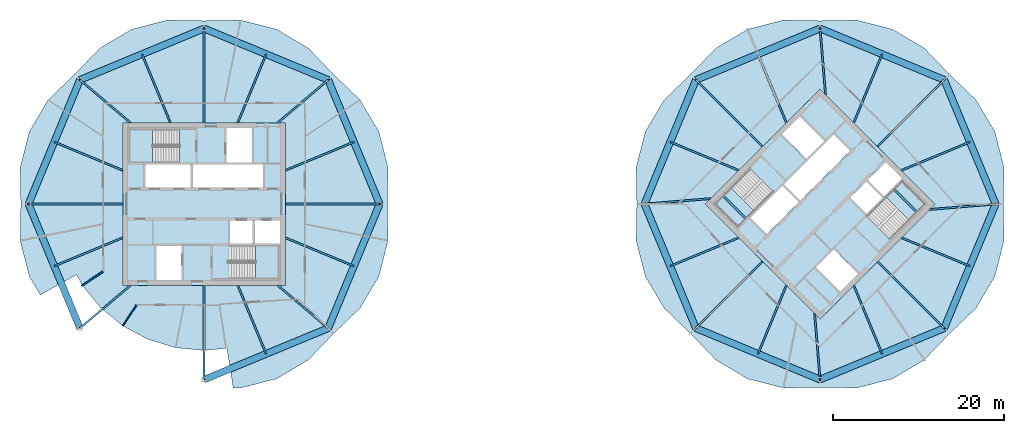
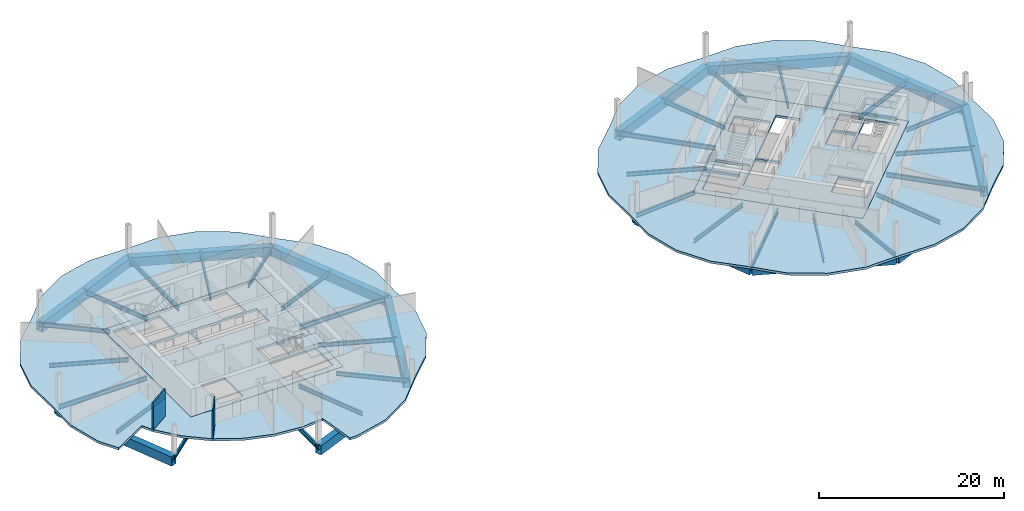
# One storey, part 3 of 9: 48 beams, 8 slabs, 2 walls, 4 elements without a shape of their own.
"""IFC4 building model written with IfcOpenShell, lengths in metres."""

from ifc_helpers import new_model, si_unit, direction, frame, frame_2d, origin, origin_2d, place, context, subcontext, project, spatial, polyline, rectangle, hollow_rectangle, i_section, outline, extrude, material, layer, layer_set, material_profile, profile_set, type_object, element, aggregate, save


model = new_model("IFC4")

# Units and contexts
model_context = context("Model", 3, precision=1e-05, world=origin(), true_north=direction((0.0, 1.0)))
body_context = subcontext(model_context, "Body", "Model", "MODEL_VIEW")
ifc_project = project(units=[si_unit("LENGTHUNIT", "METRE"), si_unit("AREAUNIT", "SQUARE_METRE"), si_unit("VOLUMEUNIT", "CUBIC_METRE"), si_unit("PLANEANGLEUNIT", "RADIAN"), si_unit("MASSUNIT", "GRAM", prefix="KILO")], contexts=[model_context])

# Site, building, storey
site_placement = place(None, origin())
site = spatial("IfcSite", under=ifc_project, at=site_placement, CompositionType="ELEMENT")
building_placement = place(site_placement, origin())
building = spatial("IfcBuilding", under=site, at=building_placement, Name="Ogive Gate Towers", CompositionType="ELEMENT")
storey_placement = place(building_placement, frame((0.0, 0.0, 192.89990234375)))
storey = spatial("IfcBuildingStorey", under=building, at=storey_placement, Name="L46", CompositionType="ELEMENT", Elevation=192.89990234375)

# Beams
ifc_material_1 = material(Name="Steel SM460", Category="steel")
ifc_material_profile_1 = material_profile(ifc_material_1, hollow_rectangle(XDim=0.800048828125, YDim=1.199951171875, WallThickness=0.050048828125, at=origin_2d()), Name="BX 1200x800x50")
ifc_profile_set_1 = profile_set([ifc_material_profile_1], Name="Steel SM460")
beam_type_1 = type_object("IfcBeamType", Name="Edge girder BX 1200x800x50", PredefinedType="BEAM", material=ifc_profile_set_1)
for number, where, z_axis, x_axis, name in (
    (1, (-36.0, -20.52001953125, -0.89990234375), (0.923877006731, 0.38268953008, 0.0), (-0.38268953008, 0.923877006731, 0.0), "T1/L46/SBM016"),
    (2, (-21.490234375, -14.509765625, -0.89990234375), (0.38268953008, 0.923877006731, 0.0), (-0.923877006731, 0.38268953008, 0.0), "T1/L46/SBM017"),
    (3, (-15.47998046875, 0.0, -0.89990234375), (-0.38268953008, 0.923877006731, 0.0), (-0.923877006731, -0.38268953008, 0.0), "T1/L46/SBM018"),
    (4, (-21.490234375, 14.509765625, -0.89990234375), (-0.923877006731, 0.38268953008, 0.0), (-0.38268953008, -0.923877006731, 0.0), "T1/L46/SBM019"),
    (5, (-36.0, 20.52001953125, -0.89990234375), (-0.923877006731, -0.38268953008, 0.0), (0.38268953008, -0.923877006731, 0.0), "T1/L46/SBM020"),
    (6, (-50.509765625, 14.509765625, -0.89990234375), (-0.38268953008, -0.923877006731, 0.0), (0.923877006731, -0.38268953008, 0.0), "T1/L46/SBM021"),
    (7, (-56.52001953125, 0.0, -0.89990234375), (0.38268953008, -0.923877006731, 0.0), (0.923877006731, 0.38268953008, 0.0), "T1/L46/SBM022"),
    (8, (21.490234375, -14.509765625, -0.89990234375), (0.923877006731, -0.38268953008, 0.0), (0.38268953008, 0.923877006731, 0.0), "T2/L46/SBM017"),
    (9, (36.0, -20.52001953125, -0.89990234375), (0.923877006731, 0.38268953008, 0.0), (-0.38268953008, 0.923877006731, 0.0), "T2/L46/SBM018"),
    (10, (50.509765625, -14.509765625, -0.89990234375), (0.38268953008, 0.923877006731, 0.0), (-0.923877006731, 0.38268953008, 0.0), "T2/L46/SBM019"),
    (11, (56.52001953125, 0.0, -0.89990234375), (-0.38268953008, 0.923877006731, 0.0), (-0.923877006731, -0.38268953008, 0.0), "T2/L46/SBM020"),
    (12, (50.509765625, 14.509765625, -0.89990234375), (-0.923877006731, 0.38268953008, 0.0), (-0.38268953008, -0.923877006731, 0.0), "T2/L46/SBM021"),
    (13, (36.0, 20.52001953125, -0.89990234375), (-0.923877006731, -0.38268953008, 0.0), (0.38268953008, -0.923877006731, 0.0), "T2/L46/SBM022"),
    (14, (21.490234375, 14.509765625, -0.89990234375), (-0.38268953008, -0.923877006731, 0.0), (0.923877006731, -0.38268953008, 0.0), "T2/L46/SBM023"),
    (15, (15.47998046875, 0.0, -0.89990234375), (0.38268953008, -0.923877006731, 0.0), (0.923877006731, 0.38268953008, 0.0), "T2/L46/SBM024"),
):
    element("IfcBeam", number, at=place(storey_placement, frame(where, z_axis=z_axis, x_axis=x_axis)), inside=storey, type_object=beam_type_1, Name=name, PredefinedType="BEAM", context=body_context, shape_type="SweptSolid", body=[
        extrude(hollow_rectangle(XDim=0.800048828125, YDim=1.199951171875, WallThickness=0.050048828125, at=origin_2d()), origin(), (0.0, 0.0, 1.0), 15.705322265625),
    ])
ifc_material_2 = material(Name="Concrete C40/50", Category="concrete")
ifc_material_profile_2 = material_profile(ifc_material_2, rectangle(XDim=0.25, YDim=0.300048828125, at=origin_2d()), Name="RC 250x300")
ifc_profile_set_2 = profile_set([ifc_material_profile_2], Name="Concrete C40/50")
beam_type_2 = type_object("IfcBeamType", Name="Landing bearer RC 250x300", PredefinedType="BEAM", material=ifc_profile_set_2)
for number, where, z_axis, x_axis, name in (
    (16, (24.650390625, 0.9541015625, 1.60009765625), (0.707106781187, -0.707106781187, 0.0), (0.707106781187, 0.707106781187, 0.0), "T2 L46 stair 1 landing bearer 1"),
    (17, (47.349609375, -0.9541015625, 1.60009765625), (-0.707106781187, 0.707106781187, 0.0), (-0.707106781187, -0.707106781187, 0.0), "T2 L46 stair 2 landing bearer 1"),
):
    element("IfcBeam", number, at=place(storey_placement, frame(where, z_axis=z_axis, x_axis=x_axis)), inside=storey, type_object=beam_type_2, Name=name, PredefinedType="BEAM", context=body_context, shape_type="SweptSolid", body=[
        extrude(rectangle(XDim=0.25, YDim=0.300048828125, at=origin_2d()), origin(), (0.0, 0.0, 1.0), 3.824951171875),
    ])
ifc_material_3 = material(Name="Steel SM355", Category="steel")
ifc_material_profile_3 = material_profile(ifc_material_3, i_section(OverallWidth=0.2099609375, OverallDepth=0.550048828125, WebThickness=0.010986328125, FlangeThickness=0.01708984375, FilletRadius=0.02392578125, at=origin_2d()), Name="IPE 550")
ifc_profile_set_3 = profile_set([ifc_material_profile_3], Name="Steel SM355")
beam_type_3 = type_object("IfcBeamType", Name="Radial floor beam IPE 550", PredefinedType="BEAM", material=ifc_profile_set_3)
beam_1_placement = place(storey_placement, frame((-44.60009765625, -9.5, -0.574951171875), z_axis=(-0.762795484328, -0.64663981403, 0.0), x_axis=(0.64663981403, -0.762795484328, 0.0)))
element("IfcBeam", 18, at=beam_1_placement, inside=storey, type_object=beam_type_3, Name="T1/L46/SBM001", PredefinedType="BEAM", context=body_context, shape_type="SweptSolid", body=[
    extrude(i_section(OverallWidth=0.2099609375, OverallDepth=0.550048828125, WebThickness=0.010986328125, FlangeThickness=0.01708984375, FilletRadius=0.02392578125, at=origin_2d()), origin(), (0.0, 0.0, 1.0), 7.747314453125),
])
beam_2_placement = place(storey_placement, frame((-32.06494140625, -9.5, -0.574951171875), z_axis=(0.382678218882, -0.92388169199, 0.0), x_axis=(0.92388169199, 0.382678218882, 0.0)))
element("IfcBeam", 19, at=beam_2_placement, inside=storey, type_object=beam_type_3, Name="T1/L46/SBM003", PredefinedType="BEAM", context=body_context, shape_type="SweptSolid", body=[
    extrude(i_section(OverallWidth=0.2099609375, OverallDepth=0.550048828125, WebThickness=0.010986328125, FlangeThickness=0.01708984375, FilletRadius=0.02392578125, at=origin_2d()), origin(), (0.0, 0.0, 1.0), 8.67529296875),
])
beam_3_placement = place(storey_placement, frame((-27.39990234375, -9.5, -0.574951171875), z_axis=(0.762795484328, -0.64663981403, 0.0), x_axis=(0.64663981403, 0.762795484328, 0.0)))
element("IfcBeam", 20, at=beam_3_placement, inside=storey, type_object=beam_type_3, Name="T1/L46/SBM004", PredefinedType="BEAM", context=body_context, shape_type="SweptSolid", body=[
    extrude(i_section(OverallWidth=0.2099609375, OverallDepth=0.550048828125, WebThickness=0.010986328125, FlangeThickness=0.01708984375, FilletRadius=0.02392578125, at=origin_2d()), origin(), (0.0, 0.0, 1.0), 7.747314453125),
])
for number, where, z_axis, x_axis, name in (
    (21, (-26.5, -3.93505859375, -0.574951171875), (0.92388169199, -0.382678218882, 0.0), (0.382678218882, 0.92388169199, 0.0), "T1/L46/SBM005"),
    (22, (-26.5, 3.93505859375, -0.574951171875), (0.92388169199, 0.382678218882, 0.0), (-0.382678218882, 0.92388169199, 0.0), "T1/L46/SBM007"),
):
    element("IfcBeam", number, at=place(storey_placement, frame(where, z_axis=z_axis, x_axis=x_axis)), inside=storey, type_object=beam_type_3, Name=name, PredefinedType="BEAM", context=body_context, shape_type="SweptSolid", body=[
        extrude(i_section(OverallWidth=0.2099609375, OverallDepth=0.550048828125, WebThickness=0.010986328125, FlangeThickness=0.01708984375, FilletRadius=0.02392578125, at=origin_2d()), origin(), (0.0, 0.0, 1.0), 8.67529296875),
    ])
beam_4_placement = place(storey_placement, frame((-27.39990234375, 9.5, -0.574951171875), z_axis=(0.762795484328, 0.64663981403, 0.0), x_axis=(-0.64663981403, 0.762795484328, 0.0)))
element("IfcBeam", 23, at=beam_4_placement, inside=storey, type_object=beam_type_3, Name="T1/L46/SBM008", PredefinedType="BEAM", context=body_context, shape_type="SweptSolid", body=[
    extrude(i_section(OverallWidth=0.2099609375, OverallDepth=0.550048828125, WebThickness=0.010986328125, FlangeThickness=0.01708984375, FilletRadius=0.02392578125, at=origin_2d()), origin(), (0.0, 0.0, 1.0), 7.747314453125),
])
for number, where, z_axis, x_axis, name in (
    (24, (-32.06494140625, 9.5, -0.574951171875), (0.382678218882, 0.92388169199, 0.0), (-0.92388169199, 0.382678218882, 0.0), "T1/L46/SBM009"),
    (25, (-39.93505859375, 9.5, -0.574951171875), (-0.382678218882, 0.92388169199, 0.0), (-0.92388169199, -0.382678218882, 0.0), "T1/L46/SBM011"),
):
    element("IfcBeam", number, at=place(storey_placement, frame(where, z_axis=z_axis, x_axis=x_axis)), inside=storey, type_object=beam_type_3, Name=name, PredefinedType="BEAM", context=body_context, shape_type="SweptSolid", body=[
        extrude(i_section(OverallWidth=0.2099609375, OverallDepth=0.550048828125, WebThickness=0.010986328125, FlangeThickness=0.01708984375, FilletRadius=0.02392578125, at=origin_2d()), origin(), (0.0, 0.0, 1.0), 8.67529296875),
    ])
beam_5_placement = place(storey_placement, frame((-44.60009765625, 9.5, -0.574951171875), z_axis=(-0.762795484328, 0.64663981403, 0.0), x_axis=(-0.64663981403, -0.762795484328, 0.0)))
element("IfcBeam", 26, at=beam_5_placement, inside=storey, type_object=beam_type_3, Name="T1/L46/SBM012", PredefinedType="BEAM", context=body_context, shape_type="SweptSolid", body=[
    extrude(i_section(OverallWidth=0.2099609375, OverallDepth=0.550048828125, WebThickness=0.010986328125, FlangeThickness=0.01708984375, FilletRadius=0.02392578125, at=origin_2d()), origin(), (0.0, 0.0, 1.0), 7.747314453125),
])
for number, where, z_axis, x_axis, name in (
    (27, (-45.5, 3.93505859375, -0.574951171875), (-0.92388169199, 0.382678218882, 0.0), (-0.382678218882, -0.92388169199, 0.0), "T1/L46/SBM013"),
    (28, (-45.5, -3.93505859375, -0.574951171875), (-0.92388169199, -0.382678218882, 0.0), (0.382678218882, -0.92388169199, 0.0), "T1/L46/SBM015"),
    (29, (32.06494140625, -9.5, -0.574951171875), (-0.382678218882, -0.92388169199, 0.0), (0.92388169199, -0.382678218882, 0.0), "T2/L46/SBM002"),
):
    element("IfcBeam", number, at=place(storey_placement, frame(where, z_axis=z_axis, x_axis=x_axis)), inside=storey, type_object=beam_type_3, Name=name, PredefinedType="BEAM", context=body_context, shape_type="SweptSolid", body=[
        extrude(i_section(OverallWidth=0.2099609375, OverallDepth=0.550048828125, WebThickness=0.010986328125, FlangeThickness=0.01708984375, FilletRadius=0.02392578125, at=origin_2d()), origin(), (0.0, 0.0, 1.0), 8.67529296875),
    ])
beam_6_placement = place(storey_placement, frame((35.363525390625, -12.798583984375, -0.574951171875), z_axis=(0.082150949336, -0.996619898218, 0.0), x_axis=(0.996619898218, 0.082150949336, 0.0)))
element("IfcBeam", 30, at=beam_6_placement, inside=storey, type_object=beam_type_3, Name="T2/L46/SBM003", PredefinedType="BEAM", context=body_context, shape_type="SweptSolid", body=[
    extrude(i_section(OverallWidth=0.2099609375, OverallDepth=0.550048828125, WebThickness=0.010986328125, FlangeThickness=0.01708984375, FilletRadius=0.02392578125, at=origin_2d()), origin(), (0.0, 0.0, 1.0), 7.74755859375),
])
for number, where, z_axis, x_axis, name in (
    (31, (39.93505859375, -9.5, -0.574951171875), (0.382678218882, -0.92388169199, 0.0), (0.92388169199, 0.382678218882, 0.0), "T2/L46/SBM004"),
    (32, (45.5, -3.93505859375, -0.574951171875), (0.92388169199, -0.382678218882, 0.0), (0.382678218882, 0.92388169199, 0.0), "T2/L46/SBM006"),
):
    element("IfcBeam", number, at=place(storey_placement, frame(where, z_axis=z_axis, x_axis=x_axis)), inside=storey, type_object=beam_type_3, Name=name, PredefinedType="BEAM", context=body_context, shape_type="SweptSolid", body=[
        extrude(i_section(OverallWidth=0.2099609375, OverallDepth=0.550048828125, WebThickness=0.010986328125, FlangeThickness=0.01708984375, FilletRadius=0.02392578125, at=origin_2d()), origin(), (0.0, 0.0, 1.0), 8.67529296875),
    ])
beam_7_placement = place(storey_placement, frame((48.798583984375, -0.636474609375, -0.574951171875), z_axis=(0.996619898218, 0.082150949336, 0.0), x_axis=(-0.082150949336, 0.996619898218, 0.0)))
element("IfcBeam", 33, at=beam_7_placement, inside=storey, type_object=beam_type_3, Name="T2/L46/SBM007", PredefinedType="BEAM", context=body_context, shape_type="SweptSolid", body=[
    extrude(i_section(OverallWidth=0.2099609375, OverallDepth=0.550048828125, WebThickness=0.010986328125, FlangeThickness=0.01708984375, FilletRadius=0.02392578125, at=origin_2d()), origin(), (0.0, 0.0, 1.0), 7.74755859375),
])
for number, where, z_axis, x_axis, name in (
    (34, (45.5, 3.93505859375, -0.574951171875), (0.92388169199, 0.382678218882, 0.0), (-0.382678218882, 0.92388169199, 0.0), "T2/L46/SBM008"),
    (35, (39.93505859375, 9.5, -0.574951171875), (0.382678218882, 0.92388169199, 0.0), (-0.92388169199, 0.382678218882, 0.0), "T2/L46/SBM010"),
):
    element("IfcBeam", number, at=place(storey_placement, frame(where, z_axis=z_axis, x_axis=x_axis)), inside=storey, type_object=beam_type_3, Name=name, PredefinedType="BEAM", context=body_context, shape_type="SweptSolid", body=[
        extrude(i_section(OverallWidth=0.2099609375, OverallDepth=0.550048828125, WebThickness=0.010986328125, FlangeThickness=0.01708984375, FilletRadius=0.02392578125, at=origin_2d()), origin(), (0.0, 0.0, 1.0), 8.67529296875),
    ])
beam_8_placement = place(storey_placement, frame((36.636474609375, 12.798583984375, -0.574951171875), z_axis=(-0.082150949336, 0.996619898218, 0.0), x_axis=(-0.996619898218, -0.082150949336, 0.0)))
element("IfcBeam", 36, at=beam_8_placement, inside=storey, type_object=beam_type_3, Name="T2/L46/SBM011", PredefinedType="BEAM", context=body_context, shape_type="SweptSolid", body=[
    extrude(i_section(OverallWidth=0.2099609375, OverallDepth=0.550048828125, WebThickness=0.010986328125, FlangeThickness=0.01708984375, FilletRadius=0.02392578125, at=origin_2d()), origin(), (0.0, 0.0, 1.0), 7.74755859375),
])
for number, where, z_axis, x_axis, name in (
    (37, (32.06494140625, 9.5, -0.574951171875), (-0.382678218882, 0.92388169199, 0.0), (-0.92388169199, -0.382678218882, 0.0), "T2/L46/SBM012"),
    (38, (26.5, 3.93505859375, -0.574951171875), (-0.92388169199, 0.382678218882, 0.0), (-0.382678218882, -0.92388169199, 0.0), "T2/L46/SBM014"),
):
    element("IfcBeam", number, at=place(storey_placement, frame(where, z_axis=z_axis, x_axis=x_axis)), inside=storey, type_object=beam_type_3, Name=name, PredefinedType="BEAM", context=body_context, shape_type="SweptSolid", body=[
        extrude(i_section(OverallWidth=0.2099609375, OverallDepth=0.550048828125, WebThickness=0.010986328125, FlangeThickness=0.01708984375, FilletRadius=0.02392578125, at=origin_2d()), origin(), (0.0, 0.0, 1.0), 8.67529296875),
    ])
beam_9_placement = place(storey_placement, frame((23.201416015625, 0.636474609375, -0.574951171875), z_axis=(-0.996619898218, -0.082150949336, 0.0), x_axis=(0.082150949336, -0.996619898218, 0.0)))
element("IfcBeam", 39, at=beam_9_placement, inside=storey, type_object=beam_type_3, Name="T2/L46/SBM015", PredefinedType="BEAM", context=body_context, shape_type="SweptSolid", body=[
    extrude(i_section(OverallWidth=0.2099609375, OverallDepth=0.550048828125, WebThickness=0.010986328125, FlangeThickness=0.01708984375, FilletRadius=0.02392578125, at=origin_2d()), origin(), (0.0, 0.0, 1.0), 7.74755859375),
])
beam_10_placement = place(storey_placement, frame((26.5, -3.93505859375, -0.574951171875), z_axis=(-0.92388169199, -0.382678218882, 0.0), x_axis=(0.382678218882, -0.92388169199, 0.0)))
element("IfcBeam", 40, at=beam_10_placement, inside=storey, type_object=beam_type_3, Name="T2/L46/SBM016", PredefinedType="BEAM", context=body_context, shape_type="SweptSolid", body=[
    extrude(i_section(OverallWidth=0.2099609375, OverallDepth=0.550048828125, WebThickness=0.010986328125, FlangeThickness=0.01708984375, FilletRadius=0.02392578125, at=origin_2d()), origin(), (0.0, 0.0, 1.0), 8.67529296875),
])
ifc_material_profile_4 = material_profile(ifc_material_3, i_section(OverallWidth=0.219970703125, OverallDepth=0.60009765625, WebThickness=0.011962890625, FlangeThickness=0.01904296875, FilletRadius=0.02392578125, at=origin_2d()), Name="IPE 600")
ifc_profile_set_4 = profile_set([ifc_material_profile_4], Name="Steel SM355")
beam_type_4 = type_object("IfcBeamType", Name="Radial floor beam IPE 600", PredefinedType="BEAM", material=ifc_profile_set_4)
for number, where, z_axis, x_axis, name in (
    (41, (-36.0, -9.5, -0.599853515625), (0.0, -1.0, 0.0), (1.0, 0.0, 0.0), "T1/L46/SBM002"),
    (42, (-26.5, 0.0, -0.599853515625), (1.0, 0.0, 0.0), (0.0, 1.0, 0.0), "T1/L46/SBM006"),
    (43, (-36.0, 9.5, -0.599853515625), (0.0, 1.0, 0.0), (-1.0, 0.0, 0.0), "T1/L46/SBM010"),
    (44, (-45.5, 0.0, -0.599853515625), (-1.0, 0.0, 0.0), (0.0, -1.0, 0.0), "T1/L46/SBM014"),
):
    element("IfcBeam", number, at=place(storey_placement, frame(where, z_axis=z_axis, x_axis=x_axis)), inside=storey, type_object=beam_type_4, Name=name, PredefinedType="BEAM", context=body_context, shape_type="SweptSolid", body=[
        extrude(i_section(OverallWidth=0.219970703125, OverallDepth=0.60009765625, WebThickness=0.011962890625, FlangeThickness=0.01904296875, FilletRadius=0.02392578125, at=origin_2d()), origin(), (0.0, 0.0, 1.0), 11.02001953125),
    ])
for number, where, z_axis, x_axis, name in (
    (45, (29.282470703125, -6.717529296875, -0.599853515625), (-0.707106781187, -0.707106781187, 0.0), (0.707106781187, -0.707106781187, 0.0), "T2/L46/SBM001"),
    (46, (42.717529296875, -6.717529296875, -0.599853515625), (0.707106781187, -0.707106781187, 0.0), (0.707106781187, 0.707106781187, 0.0), "T2/L46/SBM005"),
    (47, (42.717529296875, 6.717529296875, -0.599853515625), (0.707106781187, 0.707106781187, 0.0), (-0.707106781187, 0.707106781187, 0.0), "T2/L46/SBM009"),
    (48, (29.282470703125, 6.717529296875, -0.599853515625), (-0.707106781187, 0.707106781187, 0.0), (-0.707106781187, -0.707106781187, 0.0), "T2/L46/SBM013"),
):
    element("IfcBeam", number, at=place(storey_placement, frame(where, z_axis=z_axis, x_axis=x_axis)), inside=storey, type_object=beam_type_4, Name=name, PredefinedType="BEAM", context=body_context, shape_type="SweptSolid", body=[
        extrude(i_section(OverallWidth=0.219970703125, OverallDepth=0.60009765625, WebThickness=0.011962890625, FlangeThickness=0.01904296875, FilletRadius=0.02392578125, at=origin_2d()), origin(), (0.0, 0.0, 1.0), 11.019775390625),
    ])

# Slabs
ifc_layer_1 = layer(ifc_material_2, 0.300048828125)
ifc_layer_set_1 = layer_set([ifc_layer_1], Name="Core slab C40/50 300 mm")
slab_type_1 = type_object("IfcSlabType", Name="Core slab C40/50 300 mm", PredefinedType="FLOOR", material=ifc_layer_set_1)
slab_1_placement = place(storey_placement, frame((0.0, 0.0, -0.2998046875)))
element("IfcSlab", 49, at=slab_1_placement, inside=storey, type_object=slab_type_1, Name="T1 L46 core slab", PredefinedType="FLOOR", context=body_context, shape_type="SweptSolid", body=[
    extrude(outline(polyline([(-45.5, -9.5), (-45.5, 9.5), (-26.5, 9.5), (-26.5, -9.5), (-45.5, -9.5)]), holes=[polyline([(-42.875, 1.949951171875), (-37.574951171875, 1.949951171875), (-37.574951171875, 4.625), (-42.875, 4.625), (-42.875, 1.949951171875)]), polyline([(-37.324951171875, 4.625), (-37.324951171875, 1.949951171875), (-29.125, 1.949951171875), (-29.125, 4.625), (-37.324951171875, 4.625)]), polyline([(-30.324951171875, -1.949951171875), (-32.97509765625, -1.949951171875), (-32.97509765625, -4.625), (-30.324951171875, -4.625), (-30.324951171875, -1.949951171875)]), polyline([(-27.10009765625, -4.625), (-27.10009765625, -1.949951171875), (-30.074951171875, -1.949951171875), (-30.074951171875, -4.625), (-27.10009765625, -4.625)]), polyline([(-33.375, 4.875), (-30.425048828125, 4.875), (-30.425048828125, 8.89990234375), (-33.375, 8.89990234375), (-33.375, 4.875)]), polyline([(-41.574951171875, -4.875), (-41.574951171875, -8.89990234375), (-38.625, -8.89990234375), (-38.625, -4.875), (-41.574951171875, -4.875)]), polyline([(-44.699951171875, 4.875), (-38.885009765625, 4.875), (-38.885009765625, 8.699951171875), (-44.699951171875, 8.699951171875), (-44.699951171875, 4.875)]), polyline([(-27.300048828125, -8.699951171875), (-27.300048828125, -4.875), (-33.114990234375, -4.875), (-33.114990234375, -8.699951171875), (-27.300048828125, -8.699951171875)])]), origin(), (0.0, 0.0, 1.0), 0.2998046875),
])
slab_2_placement = place(storey_placement, frame((0.0, 0.0, -0.2998046875)))
element("IfcSlab", 50, at=slab_2_placement, inside=storey, type_object=slab_type_1, Name="T2 L46 core slab", PredefinedType="FLOOR", context=body_context, shape_type="SweptSolid", body=[
    extrude(outline(polyline([(36.0, -13.43505859375), (22.56494140625, 0.0), (36.0, 13.43505859375), (49.43505859375, 0.0), (36.0, -13.43505859375)]), holes=[polyline([(29.759765625, -3.482421875), (33.50732421875, 0.26513671875), (31.615966796875, 2.15673828125), (27.868408203125, -1.591064453125), (29.759765625, -3.482421875)]), polyline([(31.792724609375, 2.33349609375), (33.68408203125, 0.44189453125), (39.482421875, 6.240234375), (37.591064453125, 8.131591796875), (31.792724609375, 2.33349609375)]), polyline([(41.3916015625, 2.634033203125), (39.517822265625, 0.760009765625), (41.409423828125, -1.13134765625), (43.283203125, 0.742431640625), (41.3916015625, 2.634033203125)]), polyline([(45.563720703125, 3.02294921875), (43.672119140625, 4.914306640625), (41.568603515625, 2.810791015625), (43.4599609375, 0.919189453125), (45.563720703125, 3.02294921875)]), polyline([(34.408935546875, 5.30322265625), (36.4951171875, 7.389404296875), (33.64892578125, 10.2353515625), (31.56298828125, 8.1494140625), (34.408935546875, 5.30322265625)]), polyline([(35.5048828125, -7.389404296875), (38.35107421875, -10.2353515625), (40.43701171875, -8.1494140625), (37.591064453125, -5.30322265625), (35.5048828125, -7.389404296875)]), polyline([(26.40087890625, -2.70458984375), (30.512939453125, 1.406982421875), (27.80810546875, 4.11181640625), (23.6962890625, 0.0), (26.40087890625, -2.70458984375)]), polyline([(48.3037109375, 0.0), (45.59912109375, 2.70458984375), (41.487060546875, -1.406982421875), (44.19189453125, -4.11181640625), (48.3037109375, 0.0)])]), origin(), (0.0, 0.0, 1.0), 0.2998046875),
])
ifc_material_4 = material(Name="Concrete C35/45", Category="concrete")
ifc_layer_2 = layer(ifc_material_4, 0.300048828125)
ifc_layer_set_2 = layer_set([ifc_layer_2], Name="Floor slab 300")
slab_type_2 = type_object("IfcSlabType", Name="Floor slab 300", PredefinedType="FLOOR", material=ifc_layer_set_2)
slab_3_placement = place(storey_placement, frame((0.0, 0.0, -0.2998046875)))
element("IfcSlab", 51, at=slab_3_placement, inside=storey, type_object=slab_type_2, Name="T1/L46/SSL001", PredefinedType="FLOOR", context=body_context, shape_type="SweptSolid", body=[
    extrude(outline(polyline([(-57.498779296875, -4.2763671875), (-56.436279296875, -8.46484375), (-54.225830078125, -12.177978515625), (-55.15478515625, -10.61767578125), (-50.903076171875, -8.260986328125), (-50.23486328125, -9.511474609375), (-48.105712890625, -12.105712890625), (-45.511474609375, -14.23486328125), (-42.551513671875, -15.81689453125), (-39.33984375, -16.791015625), (-36.0, -17.1201171875), (-33.330078125, -16.85693359375), (-32.597412109375, -21.482666015625), (-36.0, -21.419921875), (-31.7236328125, -21.498779296875), (-27.53515625, -20.436279296875), (-23.822021484375, -18.225830078125), (-20.853759765625, -15.146240234375), (-17.774169921875, -12.177978515625), (-15.563720703125, -8.46484375), (-14.501220703125, -4.2763671875), (-14.580078125, 0.0), (-14.501220703125, 4.2763671875), (-15.563720703125, 8.46484375), (-17.774169921875, 12.177978515625), (-20.853759765625, 15.146240234375), (-23.822021484375, 18.225830078125), (-27.53515625, 20.436279296875), (-31.7236328125, 21.498779296875), (-36.0, 21.419921875), (-40.2763671875, 21.498779296875), (-44.46484375, 20.436279296875), (-48.177978515625, 18.225830078125), (-51.146240234375, 15.146240234375), (-54.225830078125, 12.177978515625), (-56.436279296875, 8.46484375), (-57.498779296875, 4.2763671875), (-57.419921875, 0.0), (-57.498779296875, -4.2763671875)]), holes=[polyline([(-26.5, -9.5), (-45.5, -9.5), (-45.5, 9.5), (-26.5, 9.5), (-26.5, -9.5)])]), origin(), (0.0, 0.0, 1.0), 0.2998046875),
])
slab_4_placement = place(storey_placement, frame((0.0, 0.0, -0.2998046875)))
element("IfcSlab", 52, at=slab_4_placement, inside=storey, type_object=slab_type_2, Name="T2/L46/SSL001", PredefinedType="FLOOR", context=body_context, shape_type="SweptSolid", body=[
    extrude(outline(polyline([(57.498779296875, -4.2763671875), (57.419921875, 0.0), (57.498779296875, 4.2763671875), (56.436279296875, 8.46484375), (54.225830078125, 12.177978515625), (51.146240234375, 15.146240234375), (48.177978515625, 18.225830078125), (44.46484375, 20.436279296875), (40.2763671875, 21.498779296875), (36.0, 21.419921875), (31.7236328125, 21.498779296875), (27.53515625, 20.436279296875), (23.822021484375, 18.225830078125), (20.853759765625, 15.146240234375), (17.774169921875, 12.177978515625), (15.563720703125, 8.46484375), (14.501220703125, 4.2763671875), (14.580078125, 0.0), (14.501220703125, -4.2763671875), (15.563720703125, -8.46484375), (17.774169921875, -12.177978515625), (20.853759765625, -15.146240234375), (23.822021484375, -18.225830078125), (27.53515625, -20.436279296875), (31.7236328125, -21.498779296875), (36.0, -21.419921875), (40.2763671875, -21.498779296875), (44.46484375, -20.436279296875), (48.177978515625, -18.225830078125), (51.146240234375, -15.146240234375), (54.225830078125, -12.177978515625), (56.436279296875, -8.46484375), (57.498779296875, -4.2763671875)]), holes=[polyline([(49.43505859375, 0.0), (36.0, -13.43505859375), (22.56494140625, 0.0), (36.0, 13.43505859375), (49.43505859375, 0.0)])]), origin(), (0.0, 0.0, 1.0), 0.2998046875),
])

# Stair, slab
stair_type = type_object("IfcStairType", Name="Escape stair 1840 wide", PredefinedType="HALF_TURN_STAIR", material=ifc_material_2)
stair_1_placement = place(storey_placement, origin())
stair_1 = element("IfcStair", 53, at=stair_1_placement, inside=storey, type_object=stair_type, Name="L46 Escape stair 1", PredefinedType="HALF_TURN_STAIR")
ifc_layer_3 = layer(ifc_material_2, 0.199951171875)
ifc_layer_set_3 = layer_set([ifc_layer_3], Name="Stair landing 200 mm")
slab_type_3 = type_object("IfcSlabType", Name="Stair landing 200 mm", PredefinedType="LANDING", material=ifc_layer_set_3)
slab_5_placement = place(storey_placement, frame((0.0, 0.0, 1.75)))
slab_5 = element("IfcSlab", 54, at=slab_5_placement, type_object=slab_type_3, Name="ST1 landing 1", PredefinedType="LANDING", context=body_context, shape_type="SweptSolid", body=[
    extrude(outline(polyline([(-42.00146484375, 8.699951171875), (-44.699951171875, 8.699951171875), (-44.699951171875, 4.875), (-42.00146484375, 4.875), (-42.00146484375, 8.699951171875)])), origin(), (0.0, 0.0, 1.0), 0.2001953125),
])
aggregate(stair_1, [slab_5])

stair_2_placement = place(storey_placement, origin())
stair_2 = element("IfcStair", 55, at=stair_2_placement, inside=storey, type_object=stair_type, Name="L46 Escape stair 2", PredefinedType="HALF_TURN_STAIR")
slab_6_placement = place(storey_placement, frame((0.0, 0.0, 1.75)))
slab_6 = element("IfcSlab", 56, at=slab_6_placement, type_object=slab_type_3, Name="ST2 landing 1", PredefinedType="LANDING", context=body_context, shape_type="SweptSolid", body=[
    extrude(outline(polyline([(-29.99853515625, -8.699951171875), (-27.300048828125, -8.699951171875), (-27.300048828125, -4.875), (-29.99853515625, -4.875), (-29.99853515625, -8.699951171875)])), origin(), (0.0, 0.0, 1.0), 0.2001953125),
])
aggregate(stair_2, [slab_6])

stair_3_placement = place(storey_placement, origin())
stair_3 = element("IfcStair", 57, at=stair_3_placement, inside=storey, type_object=stair_type, Name="L46 Escape stair 1", PredefinedType="HALF_TURN_STAIR")
slab_7_placement = place(storey_placement, frame((0.0, 0.0, 1.75)))
slab_7 = element("IfcSlab", 58, at=slab_7_placement, type_object=slab_type_3, Name="ST1 landing 1", PredefinedType="LANDING", context=body_context, shape_type="SweptSolid", body=[
    extrude(outline(polyline([(25.6044921875, 1.908203125), (23.6962890625, 0.0), (26.401123046875, -2.70458984375), (28.309326171875, -0.79638671875), (25.6044921875, 1.908203125)])), origin(), (0.0, 0.0, 1.0), 0.2001953125),
])
aggregate(stair_3, [slab_7])

stair_4_placement = place(storey_placement, origin())
stair_4 = element("IfcStair", 59, at=stair_4_placement, inside=storey, type_object=stair_type, Name="L46 Escape stair 2", PredefinedType="HALF_TURN_STAIR")
slab_8_placement = place(storey_placement, frame((0.0, 0.0, 1.75)))
slab_8 = element("IfcSlab", 60, at=slab_8_placement, type_object=slab_type_3, Name="ST2 landing 1", PredefinedType="LANDING", context=body_context, shape_type="SweptSolid", body=[
    extrude(outline(polyline([(46.3955078125, -1.908203125), (48.3037109375, 0.0), (45.598876953125, 2.70458984375), (43.690673828125, 0.79638671875), (46.3955078125, -1.908203125)])), origin(), (0.0, 0.0, 1.0), 0.2001953125),
])
aggregate(stair_4, [slab_8])

# Walls
ifc_material_5 = material(Name="Gypsum board acoustic partition")
ifc_layer_4 = layer(ifc_material_5, 0.175048828125)
ifc_layer_set_4 = layer_set([ifc_layer_4], Name="Acoustic partition 175")
wall_type_1 = type_object("IfcWallType", Name="Acoustic partition 175", PredefinedType="PARTITIONING", material=ifc_layer_set_4)
wall_1_placement = place(storey_placement, frame((-50.318359375, -9.567138671875, 0.0), z_axis=(0.0, 0.0, 1.0), x_axis=(0.830843898968, 0.556505539549, 0.0)))
element("IfcWall", 61, at=wall_1_placement, inside=storey, type_object=wall_type_1, Name="Partition T1-L46-005", PredefinedType="PARTITIONING", context=body_context, shape_type="SweptSolid", body=[
    extrude(rectangle(XDim=2.962646484375, YDim=0.175048828125, at=frame_2d((1.4814453125, 0.0))), origin(), (0.0, 0.0, 1.0), 3.60009765625),
])
ifc_material_6 = material(Name="Gypsum board partition")
ifc_layer_5 = layer(ifc_material_6, 0.125)
ifc_layer_set_5 = layer_set([ifc_layer_5], Name="Partition 125")
wall_type_2 = type_object("IfcWallType", Name="Partition 125", PredefinedType="PARTITIONING", material=ifc_layer_set_5)
wall_2_placement = place(storey_placement, frame((-45.510986328125, -14.234375, 0.0), z_axis=(0.0, 0.0, 1.0), x_axis=(0.555519699816, 0.831503375288, 0.0)))
element("IfcWall", 62, at=wall_2_placement, inside=storey, type_object=wall_type_2, Name="Partition T1-L46-006", PredefinedType="PARTITIONING", context=body_context, shape_type="SweptSolid", body=[
    extrude(rectangle(XDim=2.886474609375, YDim=0.125, at=frame_2d((1.443359375, 0.0))), origin(), (0.0, 0.0, 1.0), 3.60009765625),
])

save(model, "model.ifc")
